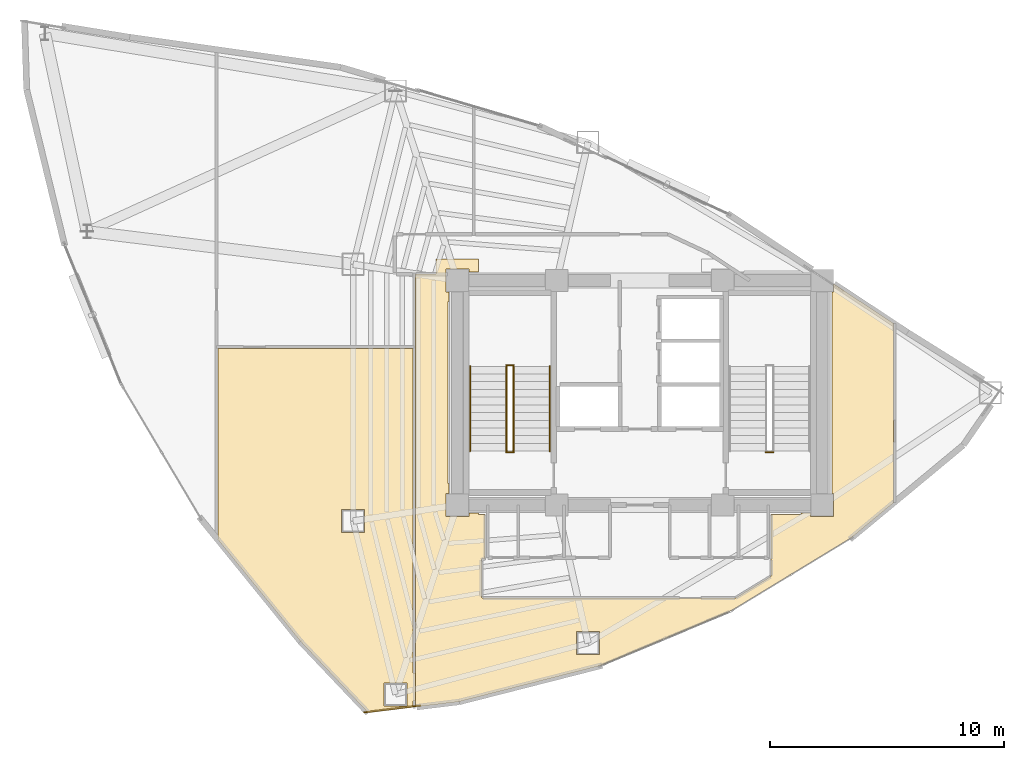
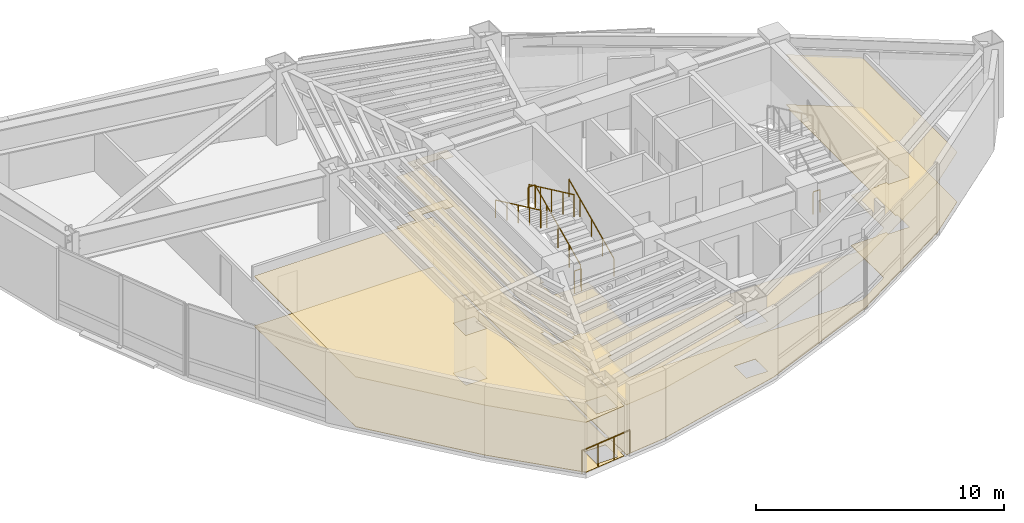
# One storey, part 15 of 16: 8 railings, 4 coverings.
"""IFC4 building model written with IfcOpenShell, lengths in metres."""

from ifc_helpers import new_model, si_unit, direction, frame, origin, origin_2d, place, context, subcontext, project, spatial, polyline, circle, outline, extrude, material, layer, layer_set, type_object, element, save


model = new_model("IFC4")

# Units and contexts
model_context = context("Model", 3, precision=1e-05, world=origin(), true_north=direction((0.0, 1.0)))
body_context = subcontext(model_context, "Body", "Model", "MODEL_VIEW")
ifc_project = project(units=[si_unit("LENGTHUNIT", "METRE"), si_unit("AREAUNIT", "SQUARE_METRE"), si_unit("VOLUMEUNIT", "CUBIC_METRE"), si_unit("PLANEANGLEUNIT", "RADIAN"), si_unit("MASSUNIT", "GRAM", prefix="KILO")], contexts=[model_context])

# Site, building, storey
site_placement = place(None, origin())
site = spatial("IfcSite", under=ifc_project, at=site_placement, CompositionType="ELEMENT")
building_placement = place(site_placement, origin())
building = spatial("IfcBuilding", under=site, at=building_placement, Name="Menara Vayukalpa", CompositionType="ELEMENT")
storey_placement = place(building_placement, frame((0.0, 0.0, 195.239990234375)))
storey = spatial("IfcBuildingStorey", under=building, at=storey_placement, Name="L49", CompositionType="ELEMENT", Elevation=195.239990234375)

# Coverings
ifc_material_1 = material(Name="Mineral Fibre Acoustic Ceiling Tile", Category="masonry")
ifc_layer_1 = layer(ifc_material_1, 0.02490234375)
ifc_layer_set_1 = layer_set([ifc_layer_1], Name="Mineral Fibre Acoustic Ceiling Tile")
covering_type_1 = type_object("IfcCoveringType", Name="COV-CLG1", PredefinedType="CEILING", material=ifc_layer_set_1)
covering_1_placement = place(storey_placement, frame((0.0, 0.0, 2.449951171875)))
element("IfcCovering", 1, at=covering_1_placement, inside=storey, type_object=covering_type_1, Name="L49 Departmental Archive Room Acoustic Ceiling", PredefinedType="CEILING", context=body_context, shape_type="SweptSolid", body=[
    extrude(outline(polyline([(16.064697265625, 8.839599609375), (15.89404296875, 8.818603515625), (15.89404296875, 8.555419921875), (15.89404296875, 8.554443359375), (15.893798828125, 8.553466796875), (15.8935546875, 8.552490234375), (15.893310546875, 8.551513671875), (15.892822265625, 8.55078125), (15.892333984375, 8.5498046875), (15.891845703125, 8.549072265625), (15.89111328125, 8.54833984375), (15.890380859375, 8.5478515625), (15.8896484375, 8.547119140625), (15.888916015625, 8.546630859375), (15.887939453125, 8.546142578125), (15.88720703125, 8.5458984375), (15.88623046875, 8.545654296875), (15.88525390625, 8.54541015625), (13.990966796875, 8.314208984375), (13.989990234375, 8.31396484375), (13.989013671875, 8.31396484375), (13.988037109375, 8.314208984375), (13.9873046875, 8.314208984375), (13.986328125, 8.314697265625), (13.985595703125, 8.31494140625), (13.984619140625, 8.3154296875), (13.98388671875, 8.31591796875), (13.983154296875, 8.31640625), (13.982421875, 8.317138671875), (11.09619140625, 11.36376953125), (11.095703125, 11.364501953125), (7.555419921875, 15.726806640625), (7.5546875, 15.7275390625), (7.55419921875, 15.728515625), (7.553955078125, 15.729248046875), (7.5537109375, 15.72998046875), (7.55322265625, 15.73095703125), (7.55322265625, 15.73193359375), (7.552978515625, 15.73291015625), (7.552978515625, 15.73388671875), (7.55322265625, 15.73486328125), (7.553466796875, 15.735595703125), (7.5537109375, 15.736572265625), (7.55419921875, 15.737548828125), (7.555419921875, 15.740234375), (7.557373046875, 15.745849609375), (7.558837890625, 15.751708984375), (7.559814453125, 15.75732421875), (7.56005859375, 15.763427734375), (7.56005859375, 23.883056640625), (7.56005859375, 23.884033203125), (7.560302734375, 23.885009765625), (7.560302734375, 23.885986328125), (7.560791015625, 23.886962890625), (7.561279296875, 23.8876953125), (7.561767578125, 23.888671875), (7.562255859375, 23.889404296875), (7.56298828125, 23.89013671875), (7.563720703125, 23.890869140625), (7.564453125, 23.891357421875), (7.565185546875, 23.891845703125), (7.566162109375, 23.892333984375), (7.567138671875, 23.892578125), (7.568115234375, 23.892822265625), (7.569091796875, 23.89306640625), (7.570068359375, 23.89306640625), (15.884033203125, 23.89306640625), (15.885009765625, 23.89306640625), (15.885986328125, 23.892822265625), (15.886962890625, 23.892578125), (15.8876953125, 23.892333984375), (15.888671875, 23.891845703125), (15.8896484375, 23.891357421875), (15.890380859375, 23.890869140625), (15.89111328125, 23.89013671875), (15.8916015625, 23.889404296875), (15.892333984375, 23.888671875), (15.892822265625, 23.8876953125), (15.893310546875, 23.886962890625), (15.8935546875, 23.885986328125), (15.893798828125, 23.885009765625), (15.89404296875, 23.884033203125), (15.89404296875, 23.883056640625), (15.89404296875, 10.00732421875), (16.064697265625, 10.00732421875), (16.064697265625, 8.839599609375)]), holes=[polyline([(15.644775390625, 9.58740234375), (14.664794921875, 9.58740234375), (14.664794921875, 8.607421875), (15.644775390625, 8.607421875), (15.644775390625, 9.58740234375)]), polyline([(13.833984375, 17.000732421875), (12.85400390625, 17.000732421875), (12.85400390625, 16.020751953125), (13.833984375, 16.020751953125), (13.833984375, 17.000732421875)])]), origin(), (0.0, 0.0, 1.0), 0.025146484375),
])
covering_2_placement = place(storey_placement, frame((0.0, 0.0, 2.449951171875)))
element("IfcCovering", 2, at=covering_2_placement, inside=storey, type_object=covering_type_1, Name="L49 Staff Dining and Pantry Acoustic Ceiling", PredefinedType="CEILING", context=body_context, shape_type="SweptSolid", body=[
    extrude(outline(polyline([(32.909912109375, 16.85009765625), (32.909912109375, 16.7099609375), (33.889892578125, 16.7099609375), (33.889892578125, 17.68994140625), (33.81005859375, 17.68994140625), (33.81005859375, 26.31005859375), (33.889892578125, 26.31005859375), (33.889892578125, 26.653564453125), (36.436279296875, 24.970703125), (36.43701171875, 24.97021484375), (36.437744140625, 24.969482421875), (36.4384765625, 24.96875), (36.43896484375, 24.968017578125), (36.439697265625, 24.967041015625), (36.43994140625, 24.96630859375), (36.440185546875, 24.96533203125), (36.440673828125, 24.96435546875), (36.440673828125, 24.96337890625), (36.44091796875, 24.96240234375), (36.44091796875, 24.961669921875), (36.440673828125, 24.960693359375), (36.440185546875, 24.958251953125), (36.43994140625, 24.952392578125), (36.43994140625, 17.3076171875), (36.440185546875, 17.3017578125), (36.441162109375, 17.2958984375), (36.44189453125, 17.292724609375), (36.442138671875, 17.291748046875), (36.442138671875, 17.290771484375), (36.442138671875, 17.289794921875), (36.442138671875, 17.288818359375), (36.44189453125, 17.28759765625), (36.44140625, 17.28662109375), (36.441162109375, 17.285888671875), (36.440673828125, 17.284912109375), (36.43994140625, 17.2841796875), (36.439208984375, 17.283203125), (36.438720703125, 17.28271484375), (34.662109375, 15.809326171875), (34.660888671875, 15.80859375), (29.47998046875, 12.661376953125), (29.479248046875, 12.660888671875), (29.478515625, 12.66064453125), (23.885986328125, 10.3212890625), (23.884765625, 10.32080078125), (17.880615234375, 8.789306640625), (17.879150390625, 8.789306640625), (16.025146484375, 8.562744140625), (16.024169921875, 8.5625), (16.023193359375, 8.5625), (16.022216796875, 8.562744140625), (16.021240234375, 8.56298828125), (16.020263671875, 8.563232421875), (16.019287109375, 8.563720703125), (16.0185546875, 8.564208984375), (16.017822265625, 8.564697265625), (16.01708984375, 8.5654296875), (16.016357421875, 8.566162109375), (16.015625, 8.56689453125), (16.01513671875, 8.56787109375), (16.014892578125, 8.568603515625), (16.014404296875, 8.569580078125), (16.01416015625, 8.570556640625), (16.013916015625, 8.571533203125), (16.013916015625, 8.572509765625), (16.013916015625, 27.06005859375), (16.013916015625, 27.06103515625), (16.01416015625, 27.06201171875), (16.014404296875, 27.06298828125), (16.014892578125, 27.063720703125), (16.01513671875, 27.064697265625), (16.015625, 27.065673828125), (16.016357421875, 27.06640625), (16.016845703125, 27.067138671875), (16.017578125, 27.067626953125), (16.018310546875, 27.068359375), (16.019287109375, 27.06884765625), (16.020263671875, 27.069091796875), (16.02099609375, 27.069580078125), (16.02197265625, 27.06982421875), (16.02294921875, 27.070068359375), (16.02392578125, 27.070068359375), (16.889892578125, 27.070068359375), (16.889892578125, 27.7099609375), (18.7099609375, 27.7099609375), (18.7099609375, 27.14990234375), (18.2900390625, 27.14990234375), (18.2900390625, 27.2900390625), (17.31005859375, 27.2900390625), (17.31005859375, 26.31005859375), (17.449951171875, 26.31005859375), (17.449951171875, 25.889892578125), (17.389892578125, 25.889892578125), (17.389892578125, 18.110107421875), (17.449951171875, 18.110107421875), (17.449951171875, 17.68994140625), (17.31005859375, 17.68994140625), (17.31005859375, 16.7099609375), (18.2900390625, 16.7099609375), (18.2900390625, 16.85009765625), (18.7099609375, 16.85009765625), (18.7099609375, 16.7900390625), (18.97998046875, 16.7900390625), (18.98095703125, 16.7900390625), (18.98193359375, 16.789794921875), (18.98291015625, 16.78955078125), (18.98388671875, 16.789306640625), (18.984619140625, 16.788818359375), (18.985595703125, 16.788330078125), (18.986328125, 16.78759765625), (18.987060546875, 16.787109375), (18.98779296875, 16.786376953125), (18.98828125, 16.78564453125), (18.98876953125, 16.78466796875), (18.9892578125, 16.78369140625), (18.989501953125, 16.782958984375), (18.98974609375, 16.781982421875), (18.989990234375, 16.781005859375), (18.989990234375, 16.780029296875), (18.989990234375, 14.929931640625), (18.989990234375, 14.928955078125), (18.98974609375, 14.927978515625), (18.989501953125, 14.927001953125), (18.9892578125, 14.92626953125), (18.98876953125, 14.92529296875), (18.98828125, 14.92431640625), (18.98779296875, 14.923583984375), (18.987060546875, 14.9228515625), (18.986328125, 14.92236328125), (18.985595703125, 14.921630859375), (18.984619140625, 14.921142578125), (18.98388671875, 14.9208984375), (18.98291015625, 14.92041015625), (18.98193359375, 14.920166015625), (18.98095703125, 14.919921875), (18.97998046875, 14.919921875), (18.900390625, 14.919921875), (18.893310546875, 14.919677734375), (18.88623046875, 14.918701171875), (18.879638671875, 14.9169921875), (18.873291015625, 14.914794921875), (18.866943359375, 14.911865234375), (18.861083984375, 14.908203125), (18.85546875, 14.904052734375), (18.8505859375, 14.8994140625), (18.845947265625, 14.89453125), (18.841796875, 14.888916015625), (18.838134765625, 14.883056640625), (18.835205078125, 14.876708984375), (18.8330078125, 14.870361328125), (18.831298828125, 14.86376953125), (18.830322265625, 14.856689453125), (18.830078125, 14.849609375), (18.830078125, 13.290283203125), (18.830322265625, 13.283203125), (18.831298828125, 13.2763671875), (18.8330078125, 13.269775390625), (18.835205078125, 13.26318359375), (18.838134765625, 13.257080078125), (18.841796875, 13.251220703125), (18.845947265625, 13.24560546875), (18.8505859375, 13.240478515625), (18.85546875, 13.236083984375), (18.861083984375, 13.231689453125), (18.866943359375, 13.228271484375), (18.873291015625, 13.225341796875), (18.879638671875, 13.222900390625), (18.88623046875, 13.22119140625), (18.893310546875, 13.220458984375), (18.900390625, 13.219970703125), (29.667236328125, 13.219970703125), (29.673828125, 13.22021484375), (29.68017578125, 13.22119140625), (29.686279296875, 13.22265625), (29.6923828125, 13.224609375), (29.6982421875, 13.22705078125), (29.7041015625, 13.230224609375), (31.18603515625, 14.130615234375), (31.1923828125, 14.134765625), (31.19775390625, 14.139404296875), (31.20263671875, 14.14453125), (31.20703125, 14.150146484375), (31.2109375, 14.15625), (31.214111328125, 14.16259765625), (31.216552734375, 14.16943359375), (31.218505859375, 14.176513671875), (31.219482421875, 14.183349609375), (31.219970703125, 14.19091796875), (31.219970703125, 14.849609375), (31.219482421875, 14.856689453125), (31.21875, 14.86376953125), (31.217041015625, 14.870361328125), (31.214599609375, 14.876708984375), (31.2119140625, 14.8828125), (31.211669921875, 14.883056640625), (31.211181640625, 14.8837890625), (31.210693359375, 14.884765625), (31.21044921875, 14.8857421875), (31.210205078125, 14.88671875), (31.2099609375, 14.8876953125), (31.2099609375, 14.888671875), (31.2099609375, 16.780029296875), (31.2099609375, 16.781005859375), (31.210205078125, 16.781982421875), (31.21044921875, 16.782958984375), (31.210693359375, 16.78369140625), (31.211181640625, 16.78466796875), (31.211669921875, 16.78564453125), (31.21240234375, 16.786376953125), (31.212890625, 16.787109375), (31.213623046875, 16.78759765625), (31.21435546875, 16.788330078125), (31.21533203125, 16.788818359375), (31.21630859375, 16.789306640625), (31.217041015625, 16.78955078125), (31.218017578125, 16.789794921875), (31.218994140625, 16.7900390625), (31.219970703125, 16.7900390625), (32.489990234375, 16.7900390625), (32.489990234375, 16.85009765625), (32.909912109375, 16.85009765625)]), holes=[polyline([(23.87939453125, 11.781494140625), (22.8994140625, 11.781494140625), (22.8994140625, 10.801513671875), (23.87939453125, 10.801513671875), (23.87939453125, 11.781494140625)])]), origin(), (0.0, 0.0, 1.0), 0.025146484375),
])
ifc_material_2 = material(Name="Porcelain Stoneware Floor Tile", Category="masonry")
ifc_layer_2 = layer(ifc_material_2, 0.02001953125)
ifc_layer_set_2 = layer_set([ifc_layer_2], Name="Porcelain Stoneware Floor Tile")
covering_type_2 = type_object("IfcCoveringType", Name="COV-FLR1", PredefinedType="FLOORING", material=ifc_layer_set_2)
covering_3_placement = place(storey_placement, origin())
element("IfcCovering", 3, at=covering_3_placement, inside=storey, type_object=covering_type_2, Name="L49 Departmental Archive Room Porcelain Flooring", PredefinedType="FLOORING", context=body_context, shape_type="SweptSolid", body=[
    extrude(outline(polyline([(16.064697265625, 8.839599609375), (15.89404296875, 8.818603515625), (15.89404296875, 8.555419921875), (15.89404296875, 8.554443359375), (15.893798828125, 8.553466796875), (15.8935546875, 8.552490234375), (15.893310546875, 8.551513671875), (15.892822265625, 8.55078125), (15.892333984375, 8.5498046875), (15.891845703125, 8.549072265625), (15.89111328125, 8.54833984375), (15.890380859375, 8.5478515625), (15.8896484375, 8.547119140625), (15.888916015625, 8.546630859375), (15.887939453125, 8.546142578125), (15.88720703125, 8.5458984375), (15.88623046875, 8.545654296875), (15.88525390625, 8.54541015625), (13.990966796875, 8.314208984375), (13.989990234375, 8.31396484375), (13.989013671875, 8.31396484375), (13.988037109375, 8.314208984375), (13.9873046875, 8.314208984375), (13.986328125, 8.314697265625), (13.985595703125, 8.31494140625), (13.984619140625, 8.3154296875), (13.98388671875, 8.31591796875), (13.983154296875, 8.31640625), (13.982421875, 8.317138671875), (11.09619140625, 11.36376953125), (11.095703125, 11.364501953125), (7.555419921875, 15.726806640625), (7.5546875, 15.7275390625), (7.55419921875, 15.728515625), (7.553955078125, 15.729248046875), (7.5537109375, 15.72998046875), (7.55322265625, 15.73095703125), (7.55322265625, 15.73193359375), (7.552978515625, 15.73291015625), (7.552978515625, 15.73388671875), (7.55322265625, 15.73486328125), (7.553466796875, 15.735595703125), (7.5537109375, 15.736572265625), (7.55419921875, 15.737548828125), (7.555419921875, 15.740234375), (7.557373046875, 15.745849609375), (7.558837890625, 15.751708984375), (7.559814453125, 15.75732421875), (7.56005859375, 15.763427734375), (7.56005859375, 23.883056640625), (7.56005859375, 23.884033203125), (7.560302734375, 23.885009765625), (7.560302734375, 23.885986328125), (7.560791015625, 23.886962890625), (7.561279296875, 23.8876953125), (7.561767578125, 23.888671875), (7.562255859375, 23.889404296875), (7.56298828125, 23.89013671875), (7.563720703125, 23.890869140625), (7.564453125, 23.891357421875), (7.565185546875, 23.891845703125), (7.566162109375, 23.892333984375), (7.567138671875, 23.892578125), (7.568115234375, 23.892822265625), (7.569091796875, 23.89306640625), (7.570068359375, 23.89306640625), (15.884033203125, 23.89306640625), (15.885009765625, 23.89306640625), (15.885986328125, 23.892822265625), (15.886962890625, 23.892578125), (15.8876953125, 23.892333984375), (15.888671875, 23.891845703125), (15.8896484375, 23.891357421875), (15.890380859375, 23.890869140625), (15.89111328125, 23.89013671875), (15.8916015625, 23.889404296875), (15.892333984375, 23.888671875), (15.892822265625, 23.8876953125), (15.893310546875, 23.886962890625), (15.8935546875, 23.885986328125), (15.893798828125, 23.885009765625), (15.89404296875, 23.884033203125), (15.89404296875, 23.883056640625), (15.89404296875, 10.00732421875), (16.064697265625, 10.00732421875), (16.064697265625, 8.839599609375)]), holes=[polyline([(15.644775390625, 9.58740234375), (14.664794921875, 9.58740234375), (14.664794921875, 8.607421875), (15.644775390625, 8.607421875), (15.644775390625, 9.58740234375)]), polyline([(13.833984375, 17.000732421875), (12.85400390625, 17.000732421875), (12.85400390625, 16.020751953125), (13.833984375, 16.020751953125), (13.833984375, 17.000732421875)])]), origin(), (0.0, 0.0, 1.0), 0.02001953125),
])
covering_4_placement = place(storey_placement, origin())
element("IfcCovering", 4, at=covering_4_placement, inside=storey, type_object=covering_type_2, Name="L49 Staff Dining and Pantry Porcelain Flooring", PredefinedType="FLOORING", context=body_context, shape_type="SweptSolid", body=[
    extrude(outline(polyline([(32.909912109375, 16.85009765625), (32.909912109375, 16.7099609375), (33.889892578125, 16.7099609375), (33.889892578125, 17.68994140625), (33.81005859375, 17.68994140625), (33.81005859375, 26.31005859375), (33.889892578125, 26.31005859375), (33.889892578125, 26.653564453125), (36.436279296875, 24.970703125), (36.43701171875, 24.97021484375), (36.437744140625, 24.969482421875), (36.4384765625, 24.96875), (36.43896484375, 24.968017578125), (36.439697265625, 24.967041015625), (36.43994140625, 24.96630859375), (36.440185546875, 24.96533203125), (36.440673828125, 24.96435546875), (36.440673828125, 24.96337890625), (36.44091796875, 24.96240234375), (36.44091796875, 24.961669921875), (36.440673828125, 24.960693359375), (36.440185546875, 24.958251953125), (36.43994140625, 24.952392578125), (36.43994140625, 17.3076171875), (36.440185546875, 17.3017578125), (36.441162109375, 17.2958984375), (36.44189453125, 17.292724609375), (36.442138671875, 17.291748046875), (36.442138671875, 17.290771484375), (36.442138671875, 17.289794921875), (36.442138671875, 17.288818359375), (36.44189453125, 17.28759765625), (36.44140625, 17.28662109375), (36.441162109375, 17.285888671875), (36.440673828125, 17.284912109375), (36.43994140625, 17.2841796875), (36.439208984375, 17.283203125), (36.438720703125, 17.28271484375), (34.662109375, 15.809326171875), (34.660888671875, 15.80859375), (29.47998046875, 12.661376953125), (29.479248046875, 12.660888671875), (29.478515625, 12.66064453125), (23.885986328125, 10.3212890625), (23.884765625, 10.32080078125), (17.880615234375, 8.789306640625), (17.879150390625, 8.789306640625), (16.025146484375, 8.562744140625), (16.024169921875, 8.5625), (16.023193359375, 8.5625), (16.022216796875, 8.562744140625), (16.021240234375, 8.56298828125), (16.020263671875, 8.563232421875), (16.019287109375, 8.563720703125), (16.0185546875, 8.564208984375), (16.017822265625, 8.564697265625), (16.01708984375, 8.5654296875), (16.016357421875, 8.566162109375), (16.015625, 8.56689453125), (16.01513671875, 8.56787109375), (16.014892578125, 8.568603515625), (16.014404296875, 8.569580078125), (16.01416015625, 8.570556640625), (16.013916015625, 8.571533203125), (16.013916015625, 8.572509765625), (16.013916015625, 27.06005859375), (16.013916015625, 27.06103515625), (16.01416015625, 27.06201171875), (16.014404296875, 27.06298828125), (16.014892578125, 27.063720703125), (16.01513671875, 27.064697265625), (16.015625, 27.065673828125), (16.016357421875, 27.06640625), (16.016845703125, 27.067138671875), (16.017578125, 27.067626953125), (16.018310546875, 27.068359375), (16.019287109375, 27.06884765625), (16.020263671875, 27.069091796875), (16.02099609375, 27.069580078125), (16.02197265625, 27.06982421875), (16.02294921875, 27.070068359375), (16.02392578125, 27.070068359375), (16.889892578125, 27.070068359375), (16.889892578125, 27.7099609375), (18.7099609375, 27.7099609375), (18.7099609375, 27.14990234375), (18.2900390625, 27.14990234375), (18.2900390625, 27.2900390625), (17.31005859375, 27.2900390625), (17.31005859375, 26.31005859375), (17.449951171875, 26.31005859375), (17.449951171875, 25.889892578125), (17.389892578125, 25.889892578125), (17.389892578125, 18.110107421875), (17.449951171875, 18.110107421875), (17.449951171875, 17.68994140625), (17.31005859375, 17.68994140625), (17.31005859375, 16.7099609375), (18.2900390625, 16.7099609375), (18.2900390625, 16.85009765625), (18.7099609375, 16.85009765625), (18.7099609375, 16.7900390625), (18.97998046875, 16.7900390625), (18.98095703125, 16.7900390625), (18.98193359375, 16.789794921875), (18.98291015625, 16.78955078125), (18.98388671875, 16.789306640625), (18.984619140625, 16.788818359375), (18.985595703125, 16.788330078125), (18.986328125, 16.78759765625), (18.987060546875, 16.787109375), (18.98779296875, 16.786376953125), (18.98828125, 16.78564453125), (18.98876953125, 16.78466796875), (18.9892578125, 16.78369140625), (18.989501953125, 16.782958984375), (18.98974609375, 16.781982421875), (18.989990234375, 16.781005859375), (18.989990234375, 16.780029296875), (18.989990234375, 14.929931640625), (18.989990234375, 14.928955078125), (18.98974609375, 14.927978515625), (18.989501953125, 14.927001953125), (18.9892578125, 14.92626953125), (18.98876953125, 14.92529296875), (18.98828125, 14.92431640625), (18.98779296875, 14.923583984375), (18.987060546875, 14.9228515625), (18.986328125, 14.92236328125), (18.985595703125, 14.921630859375), (18.984619140625, 14.921142578125), (18.98388671875, 14.9208984375), (18.98291015625, 14.92041015625), (18.98193359375, 14.920166015625), (18.98095703125, 14.919921875), (18.97998046875, 14.919921875), (18.900390625, 14.919921875), (18.893310546875, 14.919677734375), (18.88623046875, 14.918701171875), (18.879638671875, 14.9169921875), (18.873291015625, 14.914794921875), (18.866943359375, 14.911865234375), (18.861083984375, 14.908203125), (18.85546875, 14.904052734375), (18.8505859375, 14.8994140625), (18.845947265625, 14.89453125), (18.841796875, 14.888916015625), (18.838134765625, 14.883056640625), (18.835205078125, 14.876708984375), (18.8330078125, 14.870361328125), (18.831298828125, 14.86376953125), (18.830322265625, 14.856689453125), (18.830078125, 14.849609375), (18.830078125, 13.290283203125), (18.830322265625, 13.283203125), (18.831298828125, 13.2763671875), (18.8330078125, 13.269775390625), (18.835205078125, 13.26318359375), (18.838134765625, 13.257080078125), (18.841796875, 13.251220703125), (18.845947265625, 13.24560546875), (18.8505859375, 13.240478515625), (18.85546875, 13.236083984375), (18.861083984375, 13.231689453125), (18.866943359375, 13.228271484375), (18.873291015625, 13.225341796875), (18.879638671875, 13.222900390625), (18.88623046875, 13.22119140625), (18.893310546875, 13.220458984375), (18.900390625, 13.219970703125), (29.667236328125, 13.219970703125), (29.673828125, 13.22021484375), (29.68017578125, 13.22119140625), (29.686279296875, 13.22265625), (29.6923828125, 13.224609375), (29.6982421875, 13.22705078125), (29.7041015625, 13.230224609375), (31.18603515625, 14.130615234375), (31.1923828125, 14.134765625), (31.19775390625, 14.139404296875), (31.20263671875, 14.14453125), (31.20703125, 14.150146484375), (31.2109375, 14.15625), (31.214111328125, 14.16259765625), (31.216552734375, 14.16943359375), (31.218505859375, 14.176513671875), (31.219482421875, 14.183349609375), (31.219970703125, 14.19091796875), (31.219970703125, 14.849609375), (31.219482421875, 14.856689453125), (31.21875, 14.86376953125), (31.217041015625, 14.870361328125), (31.214599609375, 14.876708984375), (31.2119140625, 14.8828125), (31.211669921875, 14.883056640625), (31.211181640625, 14.8837890625), (31.210693359375, 14.884765625), (31.21044921875, 14.8857421875), (31.210205078125, 14.88671875), (31.2099609375, 14.8876953125), (31.2099609375, 14.888671875), (31.2099609375, 16.780029296875), (31.2099609375, 16.781005859375), (31.210205078125, 16.781982421875), (31.21044921875, 16.782958984375), (31.210693359375, 16.78369140625), (31.211181640625, 16.78466796875), (31.211669921875, 16.78564453125), (31.21240234375, 16.786376953125), (31.212890625, 16.787109375), (31.213623046875, 16.78759765625), (31.21435546875, 16.788330078125), (31.21533203125, 16.788818359375), (31.21630859375, 16.789306640625), (31.217041015625, 16.78955078125), (31.218017578125, 16.789794921875), (31.218994140625, 16.7900390625), (31.219970703125, 16.7900390625), (32.489990234375, 16.7900390625), (32.489990234375, 16.85009765625), (32.909912109375, 16.85009765625)]), holes=[polyline([(23.87939453125, 11.781494140625), (22.8994140625, 11.781494140625), (22.8994140625, 10.801513671875), (23.87939453125, 10.801513671875), (23.87939453125, 11.781494140625)])]), origin(), (0.0, 0.0, 1.0), 0.02001953125),
])

# Railings
ifc_material_3 = material(Name="Laminated Glass and Stainless Steel 316 Guardrail", Category="steel")
railing_type_1 = type_object("IfcRailingType", Name="RLG-EXT115", PredefinedType="GUARDRAIL", material=ifc_material_3)
railing_1_placement = place(storey_placement, frame((13.817138671875, 8.3330078125, 0.0)))
element("IfcRailing", 5, at=railing_1_placement, inside=storey, type_object=railing_type_1, Name="L49 Column Corner Spandrel Guardrail 14-1", PredefinedType="GUARDRAIL", context=body_context, shape_type="SweptSolid", body=[
    extrude(circle(Radius=0.02392578125, at=origin_2d()), frame((0.0, 0.0, 1.1259765625), z_axis=(0.992605536887, 0.121384711313, 0.0), x_axis=(-0.121384711313, 0.992605536887, 0.0)), (0.0, 0.0, 1.0), 2.41552734375),
    extrude(circle(Radius=0.02099609375, at=origin_2d()), origin(), (0.0, 0.0, 1.0), 1.101806640625),
    extrude(circle(Radius=0.02099609375, at=origin_2d()), frame((0.79931640625, 0.09765625, 0.0)), (0.0, 0.0, 1.0), 1.101806640625),
    extrude(circle(Radius=0.02099609375, at=origin_2d()), frame((1.598388671875, 0.195556640625, 0.0)), (0.0, 0.0, 1.0), 1.101806640625),
    extrude(circle(Radius=0.02099609375, at=origin_2d()), frame((2.397705078125, 0.293212890625, 0.0)), (0.0, 0.0, 1.0), 1.101806640625),
])
ifc_material_4 = material(Name="Powder-Coated Galvanised Steel Guardrail", Category="steel")
railing_type_2 = type_object("IfcRailingType", Name="RLG-STG110", PredefinedType="GUARDRAIL", material=ifc_material_4)
railing_2_placement = place(storey_placement, frame((20.199951171875, 19.5, 0.155029296875)))
element("IfcRailing", 6, at=railing_2_placement, inside=storey, type_object=railing_type_2, Name="L49 ST-1 stair guard 1", PredefinedType="GUARDRAIL", context=body_context, shape_type="SweptSolid", body=[
    extrude(circle(Radius=0.02392578125, at=origin_2d()), frame((0.0, 0.0, 1.09619140625), z_axis=(0.0, 0.90511648382, 0.425163675209), x_axis=(-1.0, 0.0, 0.0)), (0.0, 0.0, 1.0), 4.010498046875),
    extrude(circle(Radius=0.02099609375, at=origin_2d()), origin(), (0.0, 0.0, 1.0), 1.072021484375),
    extrude(circle(Radius=0.02099609375, at=origin_2d()), frame((0.0, 0.907470703125, 0.42626953125)), (0.0, 0.0, 1.0), 1.072021484375),
    extrude(circle(Radius=0.02099609375, at=origin_2d()), frame((0.0, 1.81494140625, 0.8525390625)), (0.0, 0.0, 1.0), 1.072021484375),
    extrude(circle(Radius=0.02099609375, at=origin_2d()), frame((0.0, 2.722412109375, 1.27880859375)), (0.0, 0.0, 1.0), 1.072021484375),
    extrude(circle(Radius=0.02099609375, at=origin_2d()), frame((0.0, 3.6298828125, 1.705078125)), (0.0, 0.0, 1.0), 1.072021484375),
])
railing_3_placement = place(storey_placement, frame((20.2099609375, 23.179931640625, 1.860107421875)))
element("IfcRailing", 7, at=railing_3_placement, inside=storey, type_object=railing_type_2, Name="L49 ST-1 stair guard 2", PredefinedType="GUARDRAIL", context=body_context, shape_type="SweptSolid", body=[
    extrude(circle(Radius=0.02392578125, at=origin_2d()), frame((0.0, 0.0, 1.09619140625), z_axis=(-1.0, 0.0, 0.0), x_axis=(0.0, -1.0, 0.0)), (0.0, 0.0, 1.0), 0.320068359375),
    extrude(circle(Radius=0.02099609375, at=origin_2d()), origin(), (0.0, 0.0, 1.0), 1.072021484375),
    extrude(circle(Radius=0.02099609375, at=origin_2d()), frame((-0.320068359375, 0.0, 0.0)), (0.0, 0.0, 1.0), 1.072021484375),
])
railing_4_placement = place(storey_placement, frame((19.89990234375, 23.1298828125, 2.014892578125)))
element("IfcRailing", 8, at=railing_4_placement, inside=storey, type_object=railing_type_2, Name="L49 ST-1 stair guard 3", PredefinedType="GUARDRAIL", context=body_context, shape_type="SweptSolid", body=[
    extrude(circle(Radius=0.02392578125, at=origin_2d()), frame((0.0, 0.0, 1.09619140625), z_axis=(0.0, -0.90511648382, 0.425163675209), x_axis=(1.0, 0.0, 0.0)), (0.0, 0.0, 1.0), 4.010498046875),
    extrude(circle(Radius=0.02099609375, at=origin_2d()), origin(), (0.0, 0.0, 1.0), 1.072021484375),
    extrude(circle(Radius=0.02099609375, at=origin_2d()), frame((0.0, -0.907470703125, 0.42626953125)), (0.0, 0.0, 1.0), 1.072021484375),
    extrude(circle(Radius=0.02099609375, at=origin_2d()), frame((0.0, -1.81494140625, 0.8525390625)), (0.0, 0.0, 1.0), 1.072021484375),
    extrude(circle(Radius=0.02099609375, at=origin_2d()), frame((0.0, -2.722412109375, 1.27880859375)), (0.0, 0.0, 1.0), 1.072021484375),
    extrude(circle(Radius=0.02099609375, at=origin_2d()), frame((0.0, -3.6298828125, 1.705078125)), (0.0, 0.0, 1.0), 1.072021484375),
])
for number, where, name in (
    (9, (20.2099609375, 19.449951171875, 0.0), "L49 ST-1 stair guard 4"),
    (10, (31.31005859375, 19.449951171875, 0.0), "L49 ST-2 stair guard 4"),
):
    element("IfcRailing", number, at=place(storey_placement, frame(where)), inside=storey, type_object=railing_type_2, Name=name, PredefinedType="GUARDRAIL", context=body_context, shape_type="SweptSolid", body=[
        extrude(circle(Radius=0.02392578125, at=origin_2d()), frame((0.0, 0.0, 1.09619140625), z_axis=(-1.0, 0.0, 0.0), x_axis=(0.0, -1.0, 0.0)), (0.0, 0.0, 1.0), 0.320068359375),
        extrude(circle(Radius=0.02099609375, at=origin_2d()), origin(), (0.0, 0.0, 1.0), 1.072021484375),
        extrude(circle(Radius=0.02099609375, at=origin_2d()), frame((-0.320068359375, 0.0, 0.0)), (0.0, 0.0, 1.0), 1.072021484375),
    ])
ifc_material_5 = material(Name="Stainless Steel 316 Tubular Handrail", Category="steel")
railing_type_3 = type_object("IfcRailingType", Name="RLG-STH090", PredefinedType="HANDRAIL", material=ifc_material_5)
railing_5_placement = place(storey_placement, frame((21.75, 19.5, 0.155029296875)))
element("IfcRailing", 11, at=railing_5_placement, inside=storey, type_object=railing_type_3, Name="L49 ST-1 stair handrail 1", PredefinedType="HANDRAIL", context=body_context, shape_type="SweptSolid", body=[
    extrude(circle(Radius=0.02392578125, at=origin_2d()), frame((0.0, 0.0, 0.8759765625), z_axis=(0.0, 0.90511648382, 0.425163675209), x_axis=(-1.0, 0.0, 0.0)), (0.0, 0.0, 1.0), 4.010498046875),
    extrude(circle(Radius=0.02099609375, at=origin_2d()), origin(), (0.0, 0.0, 1.0), 0.851806640625),
    extrude(circle(Radius=0.02099609375, at=origin_2d()), frame((0.0, 0.907470703125, 0.42626953125)), (0.0, 0.0, 1.0), 0.851806640625),
    extrude(circle(Radius=0.02099609375, at=origin_2d()), frame((0.0, 1.81494140625, 0.8525390625)), (0.0, 0.0, 1.0), 0.851806640625),
    extrude(circle(Radius=0.02099609375, at=origin_2d()), frame((0.0, 2.722412109375, 1.27880859375)), (0.0, 0.0, 1.0), 0.851806640625),
    extrude(circle(Radius=0.02099609375, at=origin_2d()), frame((0.0, 3.6298828125, 1.705078125)), (0.0, 0.0, 1.0), 0.851806640625),
])
railing_6_placement = place(storey_placement, frame((18.35009765625, 23.1298828125, 2.014892578125)))
element("IfcRailing", 12, at=railing_6_placement, inside=storey, type_object=railing_type_3, Name="L49 ST-1 stair handrail 2", PredefinedType="HANDRAIL", context=body_context, shape_type="SweptSolid", body=[
    extrude(circle(Radius=0.02392578125, at=origin_2d()), frame((0.0, 0.0, 0.8759765625), z_axis=(0.0, -0.90511648382, 0.425163675209), x_axis=(1.0, 0.0, 0.0)), (0.0, 0.0, 1.0), 4.010498046875),
    extrude(circle(Radius=0.02099609375, at=origin_2d()), origin(), (0.0, 0.0, 1.0), 0.851806640625),
    extrude(circle(Radius=0.02099609375, at=origin_2d()), frame((0.0, -0.907470703125, 0.42626953125)), (0.0, 0.0, 1.0), 0.851806640625),
    extrude(circle(Radius=0.02099609375, at=origin_2d()), frame((0.0, -1.81494140625, 0.8525390625)), (0.0, 0.0, 1.0), 0.851806640625),
    extrude(circle(Radius=0.02099609375, at=origin_2d()), frame((0.0, -2.722412109375, 1.27880859375)), (0.0, 0.0, 1.0), 0.851806640625),
    extrude(circle(Radius=0.02099609375, at=origin_2d()), frame((0.0, -3.6298828125, 1.705078125)), (0.0, 0.0, 1.0), 0.851806640625),
])

save(model, "model.ifc")
